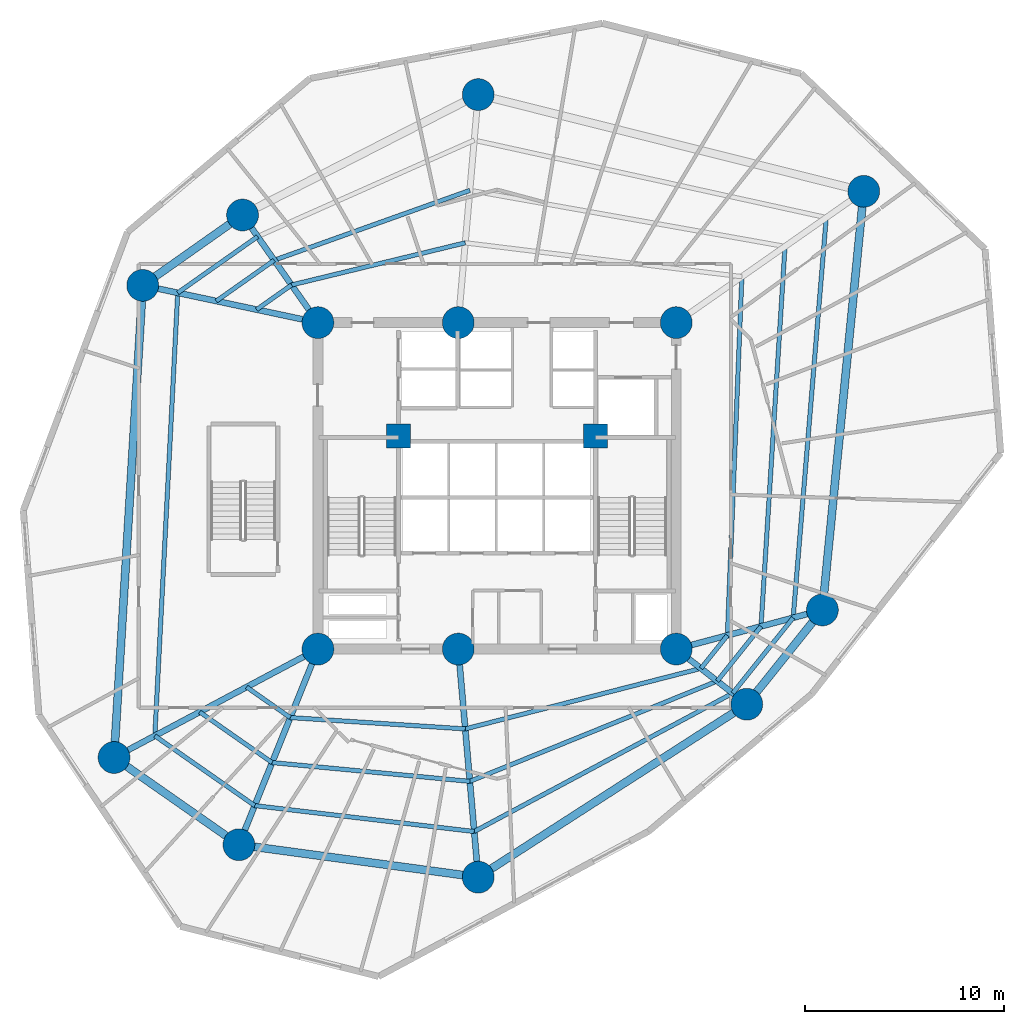
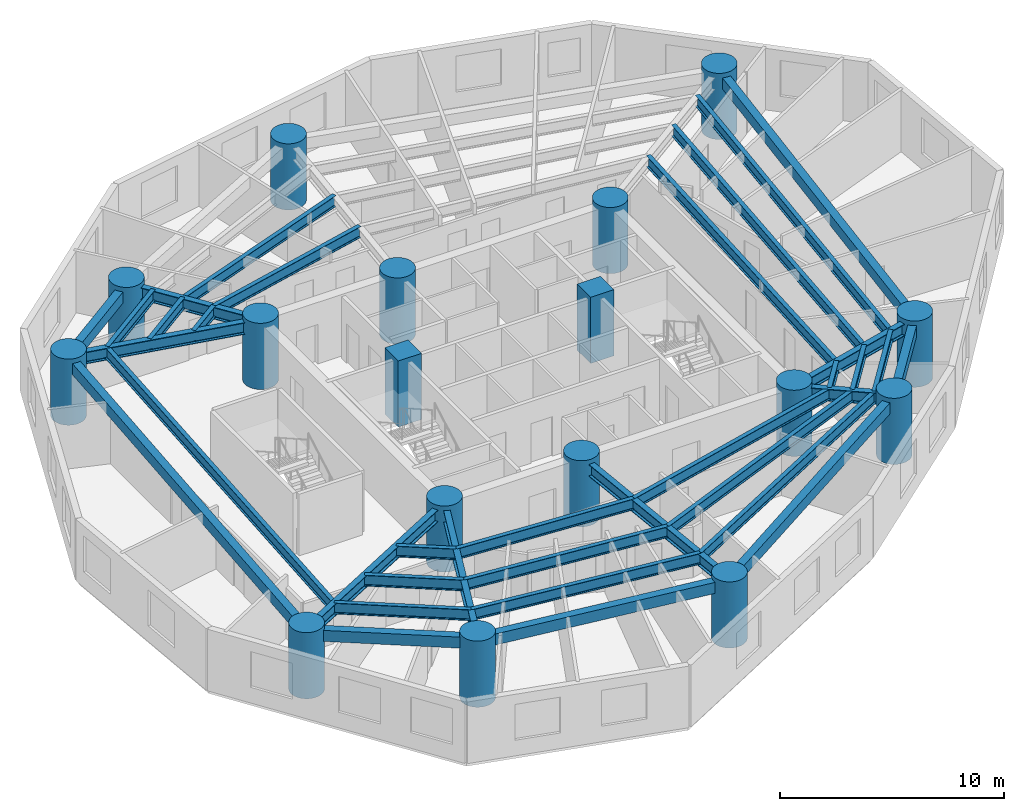
# One storey, part 1 of 8: 35 beams, 17 columns.
"""IFC4 building model written with IfcOpenShell, lengths in metres."""

from ifc_helpers import new_model, si_unit, direction, frame, origin, origin_with_axes, origin_2d, place, context, subcontext, project, spatial, rectangle, circle, i_section, extrude, source, transform, mapped, material, material_profile, profile_set, type_object, element, save


model = new_model("IFC4")

# Units and contexts
model_context = context("Model", 3, precision=1e-05, world=origin(), true_north=direction((0.0, 1.0)))
body_context = subcontext(model_context, "Body", "Model", "MODEL_VIEW")
ifc_project = project(units=[si_unit("LENGTHUNIT", "METRE"), si_unit("AREAUNIT", "SQUARE_METRE"), si_unit("VOLUMEUNIT", "CUBIC_METRE"), si_unit("PLANEANGLEUNIT", "RADIAN"), si_unit("MASSUNIT", "GRAM", prefix="KILO")], contexts=[model_context])

# Site, building, storey
site_placement = place(None, origin())
site = spatial("IfcSite", under=ifc_project, at=site_placement, CompositionType="ELEMENT")
building_placement = place(site_placement, origin())
building = spatial("IfcBuilding", under=site, at=building_placement, Name="Karkom Vertical University and Central Library", CompositionType="ELEMENT")
storey_placement = place(building_placement, frame((0.0, 0.0, 58.89990234375)))
storey = spatial("IfcBuildingStorey", under=building, at=storey_placement, Name="L15", CompositionType="ELEMENT", Elevation=58.89990234375)

# Columns
ifc_material_1 = material(Name="Concrete C50/60", Category="concrete")
ifc_material_profile_1 = material_profile(ifc_material_1, circle(Radius=0.800048828125, at=origin_2d()), Name="CFT-D1600")
ifc_profile_set_1 = profile_set([ifc_material_profile_1], Name="Concrete C50/60")
column_type_1 = type_object("IfcColumnType", Name="STR-COL-C-SC2", PredefinedType="COLUMN", material=ifc_profile_set_1)
shared_shape_1 = source(origin_with_axes(), body_context, "Body", "SweptSolid", [
    extrude(circle(Radius=0.800048828125, at=origin_2d()), origin(), (0.0, 0.0, 1.0), 3.60009765625),
])
for number, where, z_axis, x_axis, name in (
    (1, (19.5, 18.300048828125, 0.0), (0.0, 0.0, 1.0), (1.0, 0.0, 0.0), "Level 15 Spine Mega-Column SC-1"),
    (2, (26.550048828125, 18.300048828125, 0.0), (0.0, 0.0, 1.0), (1.0, 0.0, 0.0), "Level 15 Spine Mega-Column SC-2"),
    (3, (37.5, 18.300048828125, 0.0), (0.0, 0.0, 1.0), (1.0, 0.0, 0.0), "Level 15 Spine Mega-Column SC-3"),
    (4, (19.5, 34.699951171875, 0.0), (0.0, 0.0, 1.0), (1.0, 0.0, 0.0), "Level 15 Spine Mega-Column SC-4"),
    (5, (26.550048828125, 34.699951171875, 0.0), (0.0, 0.0, 1.0), (1.0, 0.0, 0.0), "Level 15 Spine Mega-Column SC-5"),
    (6, (37.5, 34.699951171875, 0.0), (0.0, 0.0, 1.0), (1.0, 0.0, 0.0), "Level 15 Spine Mega-Column SC-6"),
    (7, (44.841064453125, 20.26708984375, 0.0), (0.0, 0.0, 1.0), (1.0, 0.0, 0.0), "Level 15 Perimeter Mega-Column Z1-PC1"),
    (8, (46.919921875, 41.2958984375, 0.0), (0.0, 0.0, 1.0), (1.0, 0.0, 0.0), "Level 15 Perimeter Mega-Column Z1-PC2"),
    (9, (27.552001953125, 46.156005859375, 0.0), (0.0, 0.0, 1.0), (1.0, 0.0, 0.0), "Level 15 Perimeter Mega-Column Z1-PC3"),
    (10, (15.714111328125, 40.10595703125, 0.0), (0.0, 0.0, 1.0), (1.0, 0.0, 0.0), "Level 15 Perimeter Mega-Column Z1-PC4"),
    (11, (10.697021484375, 36.571044921875, 0.0), (0.0, 0.0, 1.0), (1.0, 0.0, 0.0), "Level 15 Perimeter Mega-Column Z1-PC5"),
    (12, (9.258056640625, 12.85400390625, 0.0), (0.0, 0.0, 1.0), (1.0, 0.0, 0.0), "Level 15 Perimeter Mega-Column Z1-PC6"),
    (13, (15.529052734375, 8.471923828125, 0.0), (0.0, 0.0, 1.0), (1.0, 0.0, 0.0), "Level 15 Perimeter Mega-Column Z1-PC7"),
    (14, (27.552001953125, 6.843994140625, 0.0), (0.0, 0.0, 1.0), (1.0, 0.0, 0.0), "Level 15 Perimeter Mega-Column Z1-PC8"),
    (15, (41.0458984375, 15.530029296875, 0.0), (0.0, 0.0, 1.0), (1.0, 0.0, 0.0), "Level 15 Perimeter Mega-Column Z1-PC9"),
):
    element("IfcColumn", number, at=place(storey_placement, frame(where, z_axis=z_axis, x_axis=x_axis)), inside=storey, type_object=column_type_1, Name=name, PredefinedType="COLUMN", context=body_context, shape_type="MappedRepresentation", body=[
        mapped(shared_shape_1, transform((0.0, 0.0, 0.0), scale=1.0)),
    ])
ifc_material_profile_2 = material_profile(ifc_material_1, rectangle(XDim=1.199951171875, YDim=1.199951171875, at=origin_2d()), Name="RC-1200x1200")
ifc_profile_set_2 = profile_set([ifc_material_profile_2], Name="Concrete C50/60")
column_type_2 = type_object("IfcColumnType", Name="STR-COL-C-CC1", PredefinedType="COLUMN", material=ifc_profile_set_2)
shared_shape_2 = source(origin_with_axes(), body_context, "Body", "SweptSolid", [
    extrude(rectangle(XDim=1.199951171875, YDim=1.199951171875, at=origin_2d()), origin(), (0.0, 0.0, 1.0), 3.60009765625),
])
for number, where, z_axis, x_axis, name in (
    (16, (23.550048828125, 29.0, 0.0), (0.0, 0.0, 1.0), (1.0, 0.0, 0.0), "Level 15 Core Node Column CC-1"),
    (17, (33.449951171875, 29.0, 0.0), (0.0, 0.0, 1.0), (1.0, 0.0, 0.0), "Level 15 Core Node Column CC-2"),
):
    element("IfcColumn", number, at=place(storey_placement, frame(where, z_axis=z_axis, x_axis=x_axis)), inside=storey, type_object=column_type_2, Name=name, PredefinedType="COLUMN", context=body_context, shape_type="MappedRepresentation", body=[
        mapped(shared_shape_2, transform((0.0, 0.0, 0.0), scale=1.0)),
    ])

# Beams
ifc_material_2 = material(Name="Steel S355", Category="steel")
ifc_material_profile_3 = material_profile(ifc_material_2, i_section(OverallWidth=0.300048828125, OverallDepth=0.64990234375, WebThickness=0.01611328125, FlangeThickness=0.031005859375, FilletRadius=0.027099609375, at=origin_2d()), Name="HE 650 B")
ifc_profile_set_3 = profile_set([ifc_material_profile_3], Name="Steel S355")
beam_type_1 = type_object("IfcBeamType", Name="STR-BM-SB-HE650", PredefinedType="USERDEFINED", material=ifc_profile_set_3)
shared_shape_3 = source(origin_with_axes(), body_context, "Body", "SweptSolid", [
    extrude(i_section(OverallWidth=0.300048828125, OverallDepth=0.64990234375, WebThickness=0.01611328125, FlangeThickness=0.031005859375, FilletRadius=0.027099609375, at=origin_2d()), origin(), (0.0, 0.0, 1.0), 7.60009765625),
])
beam_1_placement = place(storey_placement, frame((37.5, 18.300048828125, 3.025146484375), z_axis=(0.965925539322, 0.258820116077, 0.0), x_axis=(-0.258820116077, 0.965925539322, 0.0)))
element("IfcBeam", 18, at=beam_1_placement, inside=storey, type_object=beam_type_1, Name="Level 15 Radial Frame Girder 01", ObjectType="GIRDER", PredefinedType="USERDEFINED", context=body_context, shape_type="MappedRepresentation", body=[
    mapped(shared_shape_3, transform((0.0, 0.0, 0.0), scale=1.0)),
])
shared_shape_4 = source(origin_with_axes(), body_context, "Body", "SweptSolid", [
    extrude(i_section(OverallWidth=0.300048828125, OverallDepth=0.64990234375, WebThickness=0.01611328125, FlangeThickness=0.031005859375, FilletRadius=0.027099609375, at=origin_2d()), origin(), (0.0, 0.0, 1.0), 11.499755859375),
])
beam_2_placement = place(storey_placement, frame((26.550048828125, 18.300048828125, 3.025146484375), z_axis=(0.087127973109, -0.99619712723, 0.0), x_axis=(0.99619712723, 0.087127973109, 0.0)))
element("IfcBeam", 19, at=beam_2_placement, inside=storey, type_object=beam_type_1, Name="Level 15 Radial Frame Girder 08", ObjectType="GIRDER", PredefinedType="USERDEFINED", context=body_context, shape_type="MappedRepresentation", body=[
    mapped(shared_shape_4, transform((0.0, 0.0, 0.0), scale=1.0)),
])
shared_shape_5 = source(origin_with_axes(), body_context, "Body", "SweptSolid", [
    extrude(i_section(OverallWidth=0.300048828125, OverallDepth=0.64990234375, WebThickness=0.01611328125, FlangeThickness=0.031005859375, FilletRadius=0.027099609375, at=origin_2d()), origin(), (0.0, 0.0, 1.0), 6.599853515625),
])
beam_3_placement = place(storey_placement, frame((19.5, 34.699951171875, 3.025146484375), z_axis=(-0.573633636671, 0.819111989218, 0.0), x_axis=(-0.819111989218, -0.573633636671, 0.0)))
element("IfcBeam", 20, at=beam_3_placement, inside=storey, type_object=beam_type_1, Name="Level 15 Radial Frame Girder 04", ObjectType="GIRDER", PredefinedType="USERDEFINED", context=body_context, shape_type="MappedRepresentation", body=[
    mapped(shared_shape_5, transform((0.0, 0.0, 0.0), scale=1.0)),
])
shared_shape_6 = source(origin_with_axes(), body_context, "Body", "SweptSolid", [
    extrude(i_section(OverallWidth=0.300048828125, OverallDepth=0.64990234375, WebThickness=0.01611328125, FlangeThickness=0.031005859375, FilletRadius=0.027099609375, at=origin_2d()), origin(), (0.0, 0.0, 1.0), 8.999755859375),
])
beam_4_placement = place(storey_placement, frame((19.5, 34.699951171875, 3.025146484375), z_axis=(-0.978148438993, 0.207907747079, 0.0), x_axis=(-0.207907747079, -0.978148438993, 0.0)))
element("IfcBeam", 21, at=beam_4_placement, inside=storey, type_object=beam_type_1, Name="Level 15 Radial Frame Girder 05", ObjectType="GIRDER", PredefinedType="USERDEFINED", context=body_context, shape_type="MappedRepresentation", body=[
    mapped(shared_shape_6, transform((0.0, 0.0, 0.0), scale=1.0)),
])
shared_shape_7 = source(origin_with_axes(), body_context, "Body", "SweptSolid", [
    extrude(i_section(OverallWidth=0.300048828125, OverallDepth=0.64990234375, WebThickness=0.01611328125, FlangeThickness=0.031005859375, FilletRadius=0.027099609375, at=origin_2d()), origin(), (0.0, 0.0, 1.0), 11.599853515625),
])
beam_5_placement = place(storey_placement, frame((19.5, 18.300048828125, 3.025146484375), z_axis=(-0.882936620635, -0.469492197957, 0.0), x_axis=(0.469492197957, -0.882936620635, 0.0)))
element("IfcBeam", 22, at=beam_5_placement, inside=storey, type_object=beam_type_1, Name="Level 15 Radial Frame Girder 06", ObjectType="GIRDER", PredefinedType="USERDEFINED", context=body_context, shape_type="MappedRepresentation", body=[
    mapped(shared_shape_7, transform((0.0, 0.0, 0.0), scale=1.0)),
])
shared_shape_8 = source(origin_with_axes(), body_context, "Body", "SweptSolid", [
    extrude(i_section(OverallWidth=0.300048828125, OverallDepth=0.64990234375, WebThickness=0.01611328125, FlangeThickness=0.031005859375, FilletRadius=0.027099609375, at=origin_2d()), origin(), (0.0, 0.0, 1.0), 10.60009765625),
])
beam_6_placement = place(storey_placement, frame((19.5, 18.300048828125, 3.025146484375), z_axis=(-0.374616894394, -0.927179692635, 0.0), x_axis=(0.927179692635, -0.374616894394, 0.0)))
element("IfcBeam", 23, at=beam_6_placement, inside=storey, type_object=beam_type_1, Name="Level 15 Radial Frame Girder 07", ObjectType="GIRDER", PredefinedType="USERDEFINED", context=body_context, shape_type="MappedRepresentation", body=[
    mapped(shared_shape_8, transform((0.0, 0.0, 0.0), scale=1.0)),
])
shared_shape_9 = source(origin_with_axes(), body_context, "Body", "SweptSolid", [
    extrude(i_section(OverallWidth=0.300048828125, OverallDepth=0.64990234375, WebThickness=0.01611328125, FlangeThickness=0.031005859375, FilletRadius=0.027099609375, at=origin_2d()), origin(), (0.0, 0.0, 1.0), 4.49951171875),
])
beam_7_placement = place(storey_placement, frame((37.5, 18.300048828125, 3.025146484375), z_axis=(0.788047405801, -0.615614559778, 0.0), x_axis=(0.615614559778, 0.788047405801, 0.0)))
element("IfcBeam", 24, at=beam_7_placement, inside=storey, type_object=beam_type_1, Name="Level 15 Radial Frame Girder 09", ObjectType="GIRDER", PredefinedType="USERDEFINED", context=body_context, shape_type="MappedRepresentation", body=[
    mapped(shared_shape_9, transform((0.0, 0.0, 0.0), scale=1.0)),
])
ifc_material_3 = material(Name="Precast concrete C45/55", Category="concrete")
ifc_material_profile_4 = material_profile(ifc_material_3, rectangle(XDim=0.39990234375, YDim=0.60009765625, at=origin_2d()), Name="SPB-400x600")
ifc_profile_set_4 = profile_set([ifc_material_profile_4], Name="Precast concrete C45/55")
beam_type_2 = type_object("IfcBeamType", Name="STR-BM-SP-1", PredefinedType="SPANDREL", material=ifc_profile_set_4)
shared_shape_10 = source(origin_with_axes(), body_context, "Body", "SweptSolid", [
    extrude(rectangle(XDim=0.39990234375, YDim=0.60009765625, at=origin_2d()), origin(), (0.0, 0.0, 1.0), 21.13134765625),
])
beam_8_placement = place(storey_placement, frame((44.841064453125, 20.26708984375, 3.050048828125), z_axis=(0.0983780471, 0.995149114379, 0.0), x_axis=(-0.995149114379, 0.0983780471, 0.0)))
element("IfcBeam", 25, at=beam_8_placement, inside=storey, type_object=beam_type_2, Name="Level 15 Perimeter Spandrel Beam 01", PredefinedType="SPANDREL", context=body_context, shape_type="MappedRepresentation", body=[
    mapped(shared_shape_10, transform((0.0, 0.0, 0.0), scale=1.0)),
])
shared_shape_11 = source(origin_with_axes(), body_context, "Body", "SweptSolid", [
    extrude(rectangle(XDim=0.39990234375, YDim=0.60009765625, at=origin_2d()), origin(), (0.0, 0.0, 1.0), 6.13720703125),
])
beam_9_placement = place(storey_placement, frame((15.714111328125, 40.10595703125, 3.050048828125), z_axis=(-0.817471365538, -0.575969240955, 0.0), x_axis=(0.575969240955, -0.817471365538, 0.0)))
element("IfcBeam", 26, at=beam_9_placement, inside=storey, type_object=beam_type_2, Name="Level 15 Perimeter Spandrel Beam 04", PredefinedType="SPANDREL", context=body_context, shape_type="MappedRepresentation", body=[
    mapped(shared_shape_11, transform((0.0, 0.0, 0.0), scale=1.0)),
])
shared_shape_12 = source(origin_with_axes(), body_context, "Body", "SweptSolid", [
    extrude(rectangle(XDim=0.39990234375, YDim=0.60009765625, at=origin_2d()), origin(), (0.0, 0.0, 1.0), 23.7607421875),
])
beam_10_placement = place(storey_placement, frame((10.697021484375, 36.571044921875, 3.050048828125), z_axis=(-0.060560827767, -0.998164508556, 0.0), x_axis=(0.998164508556, -0.060560827767, 0.0)))
element("IfcBeam", 27, at=beam_10_placement, inside=storey, type_object=beam_type_2, Name="Level 15 Perimeter Spandrel Beam 05", PredefinedType="SPANDREL", context=body_context, shape_type="MappedRepresentation", body=[
    mapped(shared_shape_12, transform((0.0, 0.0, 0.0), scale=1.0)),
])
shared_shape_13 = source(origin_with_axes(), body_context, "Body", "SweptSolid", [
    extrude(rectangle(XDim=0.39990234375, YDim=0.60009765625, at=origin_2d()), origin(), (0.0, 0.0, 1.0), 7.650390625),
])
beam_11_placement = place(storey_placement, frame((9.258056640625, 12.85400390625, 3.050048828125), z_axis=(0.819699409527, -0.572793922822, 0.0), x_axis=(0.572793922822, 0.819699409527, 0.0)))
element("IfcBeam", 28, at=beam_11_placement, inside=storey, type_object=beam_type_2, Name="Level 15 Perimeter Spandrel Beam 06", PredefinedType="SPANDREL", context=body_context, shape_type="MappedRepresentation", body=[
    mapped(shared_shape_13, transform((0.0, 0.0, 0.0), scale=1.0)),
])
shared_shape_14 = source(origin_with_axes(), body_context, "Body", "SweptSolid", [
    extrude(rectangle(XDim=0.39990234375, YDim=0.60009765625, at=origin_2d()), origin(), (0.0, 0.0, 1.0), 12.132568359375),
])
beam_12_placement = place(storey_placement, frame((15.529052734375, 8.471923828125, 3.050048828125), z_axis=(0.990957319008, -0.134177464223, 0.0), x_axis=(0.134177464223, 0.990957319008, 0.0)))
element("IfcBeam", 29, at=beam_12_placement, inside=storey, type_object=beam_type_2, Name="Level 15 Perimeter Spandrel Beam 07", PredefinedType="SPANDREL", context=body_context, shape_type="MappedRepresentation", body=[
    mapped(shared_shape_14, transform((0.0, 0.0, 0.0), scale=1.0)),
])
shared_shape_15 = source(origin_with_axes(), body_context, "Body", "SweptSolid", [
    extrude(rectangle(XDim=0.39990234375, YDim=0.60009765625, at=origin_2d()), origin(), (0.0, 0.0, 1.0), 16.0478515625),
])
beam_13_placement = place(storey_placement, frame((27.552001953125, 6.843994140625, 3.050048828125), z_axis=(0.84085555045, 0.541259589548, 0.0), x_axis=(-0.541259589548, 0.84085555045, 0.0)))
element("IfcBeam", 30, at=beam_13_placement, inside=storey, type_object=beam_type_2, Name="Level 15 Perimeter Spandrel Beam 08", PredefinedType="SPANDREL", context=body_context, shape_type="MappedRepresentation", body=[
    mapped(shared_shape_15, transform((0.0, 0.0, 0.0), scale=1.0)),
])
shared_shape_16 = source(origin_with_axes(), body_context, "Body", "SweptSolid", [
    extrude(rectangle(XDim=0.39990234375, YDim=0.60009765625, at=origin_2d()), origin(), (0.0, 0.0, 1.0), 6.06982421875),
])
beam_14_placement = place(storey_placement, frame((41.0458984375, 15.530029296875, 3.050048828125), z_axis=(0.625249167344, 0.780425190992, 0.0), x_axis=(-0.780425190992, 0.625249167344, 0.0)))
element("IfcBeam", 31, at=beam_14_placement, inside=storey, type_object=beam_type_2, Name="Level 15 Perimeter Spandrel Beam 09", PredefinedType="SPANDREL", context=body_context, shape_type="MappedRepresentation", body=[
    mapped(shared_shape_16, transform((0.0, 0.0, 0.0), scale=1.0)),
])
ifc_material_profile_5 = material_profile(ifc_material_2, i_section(OverallWidth=0.219970703125, OverallDepth=0.60009765625, WebThickness=0.011962890625, FlangeThickness=0.01904296875, FilletRadius=0.02392578125, at=origin_2d()), Name="IPE 600")
ifc_profile_set_5 = profile_set([ifc_material_profile_5], Name="Steel S355")
beam_type_3 = type_object("IfcBeamType", Name="STR-BM-SB-IPE600", PredefinedType="BEAM", material=ifc_profile_set_5)
shared_shape_17 = source(origin_with_axes(), body_context, "Body", "SweptSolid", [
    extrude(i_section(OverallWidth=0.219970703125, OverallDepth=0.60009765625, WebThickness=0.011962890625, FlangeThickness=0.01904296875, FilletRadius=0.02392578125, at=origin_2d()), origin(), (0.0, 0.0, 1.0), 18.03466796875),
])
beam_15_placement = place(storey_placement, frame((40.0693359375, 18.988525390625, 3.050048828125), z_axis=(0.04035458262, 0.999185422062, 0.0), x_axis=(-0.999185422062, 0.04035458262, 0.0)))
element("IfcBeam", 32, at=beam_15_placement, inside=storey, type_object=beam_type_3, Name="Level 15 Secondary Composite Floor Beam 1.01", PredefinedType="BEAM", context=body_context, shape_type="MappedRepresentation", body=[
    mapped(shared_shape_17, transform((0.0, 0.0, 0.0), scale=1.0)),
])
shared_shape_18 = source(origin_with_axes(), body_context, "Body", "SweptSolid", [
    extrude(i_section(OverallWidth=0.219970703125, OverallDepth=0.60009765625, WebThickness=0.011962890625, FlangeThickness=0.01904296875, FilletRadius=0.02392578125, at=origin_2d()), origin(), (0.0, 0.0, 1.0), 8.97900390625),
])
beam_16_placement = place(storey_placement, frame((26.900634765625, 38.709716796875, 3.050048828125), z_axis=(-0.971790837509, -0.235844372697, 0.0), x_axis=(0.235844372697, -0.971790837509, 0.0)))
element("IfcBeam", 33, at=beam_16_placement, inside=storey, type_object=beam_type_3, Name="Level 15 Secondary Composite Floor Beam 1.03", PredefinedType="BEAM", context=body_context, shape_type="MappedRepresentation", body=[
    mapped(shared_shape_18, transform((0.0, 0.0, 0.0), scale=1.0)),
])
shared_shape_19 = source(origin_with_axes(), body_context, "Body", "SweptSolid", [
    extrude(i_section(OverallWidth=0.219970703125, OverallDepth=0.60009765625, WebThickness=0.011962890625, FlangeThickness=0.01904296875, FilletRadius=0.02392578125, at=origin_2d()), origin(), (0.0, 0.0, 1.0), 2.14794921875),
])
beam_17_placement = place(storey_placement, frame((18.1748046875, 36.592041015625, 3.050048828125), z_axis=(-0.817433780971, -0.576022580918, 0.0), x_axis=(0.576022580918, -0.817433780971, 0.0)))
element("IfcBeam", 34, at=beam_17_placement, inside=storey, type_object=beam_type_3, Name="Level 15 Secondary Composite Floor Beam 1.04", PredefinedType="BEAM", context=body_context, shape_type="MappedRepresentation", body=[
    mapped(shared_shape_19, transform((0.0, 0.0, 0.0), scale=1.0)),
])
shared_shape_20 = source(origin_with_axes(), body_context, "Body", "SweptSolid", [
    extrude(i_section(OverallWidth=0.219970703125, OverallDepth=0.60009765625, WebThickness=0.011962890625, FlangeThickness=0.01904296875, FilletRadius=0.02392578125, at=origin_2d()), origin(), (0.0, 0.0, 1.0), 2.677490234375),
])
beam_18_placement = place(storey_placement, frame((15.915283203125, 16.393798828125, 3.050048828125), z_axis=(0.819702839548, -0.572789014243, 0.0), x_axis=(0.572789014243, 0.819702839548, 0.0)))
element("IfcBeam", 35, at=beam_18_placement, inside=storey, type_object=beam_type_3, Name="Level 15 Secondary Composite Floor Beam 1.06", PredefinedType="BEAM", context=body_context, shape_type="MappedRepresentation", body=[
    mapped(shared_shape_20, transform((0.0, 0.0, 0.0), scale=1.0)),
])
shared_shape_21 = source(origin_with_axes(), body_context, "Body", "SweptSolid", [
    extrude(i_section(OverallWidth=0.219970703125, OverallDepth=0.60009765625, WebThickness=0.011962890625, FlangeThickness=0.01904296875, FilletRadius=0.02392578125, at=origin_2d()), origin(), (0.0, 0.0, 1.0), 8.80908203125),
])
beam_19_placement = place(storey_placement, frame((18.110107421875, 14.860107421875, 3.050048828125), z_axis=(0.997905617906, -0.064686766433, 0.0), x_axis=(0.064686766433, 0.997905617906, 0.0)))
element("IfcBeam", 36, at=beam_19_placement, inside=storey, type_object=beam_type_3, Name="Level 15 Secondary Composite Floor Beam 1.07", PredefinedType="BEAM", context=body_context, shape_type="MappedRepresentation", body=[
    mapped(shared_shape_21, transform((0.0, 0.0, 0.0), scale=1.0)),
])
shared_shape_22 = source(origin_with_axes(), body_context, "Body", "SweptSolid", [
    extrude(i_section(OverallWidth=0.219970703125, OverallDepth=0.60009765625, WebThickness=0.011962890625, FlangeThickness=0.01904296875, FilletRadius=0.02392578125, at=origin_2d()), origin(), (0.0, 0.0, 1.0), 12.224609375),
])
beam_20_placement = place(storey_placement, frame((26.900634765625, 14.290283203125, 3.050048828125), z_axis=(0.968580403264, 0.248700628092, 0.0), x_axis=(-0.248700628092, 0.968580403264, 0.0)))
element("IfcBeam", 37, at=beam_20_placement, inside=storey, type_object=beam_type_3, Name="Level 15 Secondary Composite Floor Beam 1.08", PredefinedType="BEAM", context=body_context, shape_type="MappedRepresentation", body=[
    mapped(shared_shape_22, transform((0.0, 0.0, 0.0), scale=1.0)),
])
shared_shape_23 = source(origin_with_axes(), body_context, "Body", "SweptSolid", [
    extrude(i_section(OverallWidth=0.219970703125, OverallDepth=0.60009765625, WebThickness=0.011962890625, FlangeThickness=0.01904296875, FilletRadius=0.02392578125, at=origin_2d()), origin(), (0.0, 0.0, 1.0), 2.124267578125),
])
beam_21_placement = place(storey_placement, frame((38.7412109375, 17.33056640625, 3.050048828125), z_axis=(0.625199471959, 0.780465002587, 0.0), x_axis=(-0.780465002587, 0.625199471959, 0.0)))
element("IfcBeam", 38, at=beam_21_placement, inside=storey, type_object=beam_type_3, Name="Level 15 Secondary Composite Floor Beam 1.09", PredefinedType="BEAM", context=body_context, shape_type="MappedRepresentation", body=[
    mapped(shared_shape_23, transform((0.0, 0.0, 0.0), scale=1.0)),
])
shared_shape_24 = source(origin_with_axes(), body_context, "Body", "SweptSolid", [
    extrude(i_section(OverallWidth=0.219970703125, OverallDepth=0.60009765625, WebThickness=0.011962890625, FlangeThickness=0.01904296875, FilletRadius=0.02392578125, at=origin_2d()), origin(), (0.0, 0.0, 1.0), 19.122802734375),
])
beam_22_placement = place(storey_placement, frame((41.7578125, 19.44091796875, 3.050048828125), z_axis=(0.063056264597, 0.998009973645, 0.0), x_axis=(-0.998009973645, 0.063056264597, 0.0)))
element("IfcBeam", 39, at=beam_22_placement, inside=storey, type_object=beam_type_3, Name="Level 15 Secondary Composite Floor Beam 2.01", PredefinedType="BEAM", context=body_context, shape_type="MappedRepresentation", body=[
    mapped(shared_shape_24, transform((0.0, 0.0, 0.0), scale=1.0)),
])
shared_shape_25 = source(origin_with_axes(), body_context, "Body", "SweptSolid", [
    extrude(i_section(OverallWidth=0.219970703125, OverallDepth=0.60009765625, WebThickness=0.011962890625, FlangeThickness=0.01904296875, FilletRadius=0.02392578125, at=origin_2d()), origin(), (0.0, 0.0, 1.0), 10.4345703125),
])
beam_23_placement = place(storey_placement, frame((27.131103515625, 41.344482421875, 3.050048828125), z_axis=(-0.941759378798, -0.336287484819, 0.0), x_axis=(0.336287484819, -0.941759378798, 0.0)))
element("IfcBeam", 40, at=beam_23_placement, inside=storey, type_object=beam_type_3, Name="Level 15 Secondary Composite Floor Beam 2.03", PredefinedType="BEAM", context=body_context, shape_type="MappedRepresentation", body=[
    mapped(shared_shape_25, transform((0.0, 0.0, 0.0), scale=1.0)),
])
shared_shape_26 = source(origin_with_axes(), body_context, "Body", "SweptSolid", [
    extrude(i_section(OverallWidth=0.219970703125, OverallDepth=0.60009765625, WebThickness=0.011962890625, FlangeThickness=0.01904296875, FilletRadius=0.02392578125, at=origin_2d()), origin(), (0.0, 0.0, 1.0), 3.5595703125),
])
beam_24_placement = place(storey_placement, frame((17.30419921875, 37.83544921875, 3.050048828125), z_axis=(-0.817465552849, -0.575977490798, 0.0), x_axis=(0.575977490798, -0.817465552849, 0.0)))
element("IfcBeam", 41, at=beam_24_placement, inside=storey, type_object=beam_type_3, Name="Level 15 Secondary Composite Floor Beam 2.04", PredefinedType="BEAM", context=body_context, shape_type="MappedRepresentation", body=[
    mapped(shared_shape_26, transform((0.0, 0.0, 0.0), scale=1.0)),
])
shared_shape_27 = source(origin_with_axes(), body_context, "Body", "SweptSolid", [
    extrude(i_section(OverallWidth=0.219970703125, OverallDepth=0.60009765625, WebThickness=0.011962890625, FlangeThickness=0.01904296875, FilletRadius=0.02392578125, at=origin_2d()), origin(), (0.0, 0.0, 1.0), 4.437255859375),
])
beam_25_placement = place(storey_placement, frame((13.5595703125, 15.141357421875, 3.050048828125), z_axis=(0.819712425733, -0.572775295468, 0.0), x_axis=(0.572775295468, 0.819712425733, 0.0)))
element("IfcBeam", 42, at=beam_25_placement, inside=storey, type_object=beam_type_3, Name="Level 15 Secondary Composite Floor Beam 2.06", PredefinedType="BEAM", context=body_context, shape_type="MappedRepresentation", body=[
    mapped(shared_shape_27, transform((0.0, 0.0, 0.0), scale=1.0)),
])
shared_shape_28 = source(origin_with_axes(), body_context, "Body", "SweptSolid", [
    extrude(i_section(OverallWidth=0.219970703125, OverallDepth=0.60009765625, WebThickness=0.011962890625, FlangeThickness=0.01904296875, FilletRadius=0.02392578125, at=origin_2d()), origin(), (0.0, 0.0, 1.0), 9.97900390625),
])
beam_26_placement = place(storey_placement, frame((17.19677734375, 12.599853515625, 3.050048828125), z_axis=(0.995512389915, -0.094631292526, 0.0), x_axis=(0.094631292526, 0.995512389915, 0.0)))
element("IfcBeam", 43, at=beam_26_placement, inside=storey, type_object=beam_type_3, Name="Level 15 Secondary Composite Floor Beam 2.07", PredefinedType="BEAM", context=body_context, shape_type="MappedRepresentation", body=[
    mapped(shared_shape_28, transform((0.0, 0.0, 0.0), scale=1.0)),
])
shared_shape_29 = source(origin_with_axes(), body_context, "Body", "SweptSolid", [
    extrude(i_section(OverallWidth=0.219970703125, OverallDepth=0.60009765625, WebThickness=0.011962890625, FlangeThickness=0.01904296875, FilletRadius=0.02392578125, at=origin_2d()), origin(), (0.0, 0.0, 1.0), 13.407958984375),
])
beam_27_placement = place(storey_placement, frame((27.131103515625, 11.655517578125, 3.050048828125), z_axis=(0.926727273371, 0.375734694685, 0.0), x_axis=(-0.375734694685, 0.926727273371, 0.0)))
element("IfcBeam", 44, at=beam_27_placement, inside=storey, type_object=beam_type_3, Name="Level 15 Secondary Composite Floor Beam 2.08", PredefinedType="BEAM", context=body_context, shape_type="MappedRepresentation", body=[
    mapped(shared_shape_29, transform((0.0, 0.0, 0.0), scale=1.0)),
])
shared_shape_30 = source(origin_with_axes(), body_context, "Body", "SweptSolid", [
    extrude(i_section(OverallWidth=0.219970703125, OverallDepth=0.60009765625, WebThickness=0.011962890625, FlangeThickness=0.01904296875, FilletRadius=0.02392578125, at=origin_2d()), origin(), (0.0, 0.0, 1.0), 3.5205078125),
])
beam_28_placement = place(storey_placement, frame((39.556640625, 16.693359375, 3.050048828125), z_axis=(0.62523614548, 0.780435623473, 0.0), x_axis=(-0.780435623473, 0.62523614548, 0.0)))
element("IfcBeam", 45, at=beam_28_placement, inside=storey, type_object=beam_type_3, Name="Level 15 Secondary Composite Floor Beam 2.09", PredefinedType="BEAM", context=body_context, shape_type="MappedRepresentation", body=[
    mapped(shared_shape_30, transform((0.0, 0.0, 0.0), scale=1.0)),
])
shared_shape_31 = source(origin_with_axes(), body_context, "Body", "SweptSolid", [
    extrude(i_section(OverallWidth=0.219970703125, OverallDepth=0.60009765625, WebThickness=0.011962890625, FlangeThickness=0.01904296875, FilletRadius=0.02392578125, at=origin_2d()), origin(), (0.0, 0.0, 1.0), 20.171875),
])
beam_29_placement = place(storey_placement, frame((43.372802734375, 19.87353515625, 3.050048828125), z_axis=(0.082445490935, 0.996595575459, 0.0), x_axis=(-0.996595575459, 0.082445490935, 0.0)))
element("IfcBeam", 46, at=beam_29_placement, inside=storey, type_object=beam_type_3, Name="Level 15 Secondary Composite Floor Beam 3.01", PredefinedType="BEAM", context=body_context, shape_type="MappedRepresentation", body=[
    mapped(shared_shape_31, transform((0.0, 0.0, 0.0), scale=1.0)),
])
shared_shape_32 = source(origin_with_axes(), body_context, "Body", "SweptSolid", [
    extrude(i_section(OverallWidth=0.219970703125, OverallDepth=0.60009765625, WebThickness=0.011962890625, FlangeThickness=0.01904296875, FilletRadius=0.02392578125, at=origin_2d()), origin(), (0.0, 0.0, 1.0), 4.909912109375),
])
beam_30_placement = place(storey_placement, frame((16.47119140625, 39.02490234375, 3.050048828125), z_axis=(-0.817452635759, -0.575995823153, 0.0), x_axis=(0.575995823153, -0.817452635759, 0.0)))
element("IfcBeam", 47, at=beam_30_placement, inside=storey, type_object=beam_type_3, Name="Level 15 Secondary Composite Floor Beam 3.04", PredefinedType="BEAM", context=body_context, shape_type="MappedRepresentation", body=[
    mapped(shared_shape_32, transform((0.0, 0.0, 0.0), scale=1.0)),
])
shared_shape_33 = source(origin_with_axes(), body_context, "Body", "SweptSolid", [
    extrude(i_section(OverallWidth=0.219970703125, OverallDepth=0.60009765625, WebThickness=0.011962890625, FlangeThickness=0.01904296875, FilletRadius=0.02392578125, at=origin_2d()), origin(), (0.0, 0.0, 1.0), 22.283447265625),
])
beam_31_placement = place(storey_placement, frame((12.45751953125, 36.19677734375, 3.050048828125), z_axis=(-0.051658288147, -0.998664819279, 0.0), x_axis=(0.998664819279, -0.051658288147, 0.0)))
element("IfcBeam", 48, at=beam_31_placement, inside=storey, type_object=beam_type_3, Name="Level 15 Secondary Composite Floor Beam 3.05", PredefinedType="BEAM", context=body_context, shape_type="MappedRepresentation", body=[
    mapped(shared_shape_33, transform((0.0, 0.0, 0.0), scale=1.0)),
])
shared_shape_34 = source(origin_with_axes(), body_context, "Body", "SweptSolid", [
    extrude(i_section(OverallWidth=0.219970703125, OverallDepth=0.60009765625, WebThickness=0.011962890625, FlangeThickness=0.01904296875, FilletRadius=0.02392578125, at=origin_2d()), origin(), (0.0, 0.0, 1.0), 6.120361328125),
])
beam_32_placement = place(storey_placement, frame((11.306396484375, 13.943115234375, 3.050048828125), z_axis=(0.81970577287, -0.572784816422, 0.0), x_axis=(0.572784816422, 0.81970577287, 0.0)))
element("IfcBeam", 49, at=beam_32_placement, inside=storey, type_object=beam_type_3, Name="Level 15 Secondary Composite Floor Beam 3.06", PredefinedType="BEAM", context=body_context, shape_type="MappedRepresentation", body=[
    mapped(shared_shape_34, transform((0.0, 0.0, 0.0), scale=1.0)),
])
shared_shape_35 = source(origin_with_axes(), body_context, "Body", "SweptSolid", [
    extrude(i_section(OverallWidth=0.219970703125, OverallDepth=0.60009765625, WebThickness=0.011962890625, FlangeThickness=0.01904296875, FilletRadius=0.02392578125, at=origin_2d()), origin(), (0.0, 0.0, 1.0), 11.10498046875),
])
beam_33_placement = place(storey_placement, frame((16.3232421875, 10.4375, 3.050048828125), z_axis=(0.993100390447, -0.117267278018, 0.0), x_axis=(0.117267278018, 0.993100390447, 0.0)))
element("IfcBeam", 50, at=beam_33_placement, inside=storey, type_object=beam_type_3, Name="Level 15 Secondary Composite Floor Beam 3.07", PredefinedType="BEAM", context=body_context, shape_type="MappedRepresentation", body=[
    mapped(shared_shape_35, transform((0.0, 0.0, 0.0), scale=1.0)),
])
shared_shape_36 = source(origin_with_axes(), body_context, "Body", "SweptSolid", [
    extrude(i_section(OverallWidth=0.219970703125, OverallDepth=0.60009765625, WebThickness=0.011962890625, FlangeThickness=0.01904296875, FilletRadius=0.02392578125, at=origin_2d()), origin(), (0.0, 0.0, 1.0), 14.727783203125),
])
beam_34_placement = place(storey_placement, frame((27.3515625, 9.13525390625, 3.050048828125), z_axis=(0.881697726656, 0.471814708131, 0.0), x_axis=(-0.471814708131, 0.881697726656, 0.0)))
element("IfcBeam", 51, at=beam_34_placement, inside=storey, type_object=beam_type_3, Name="Level 15 Secondary Composite Floor Beam 3.08", PredefinedType="BEAM", context=body_context, shape_type="MappedRepresentation", body=[
    mapped(shared_shape_36, transform((0.0, 0.0, 0.0), scale=1.0)),
])
shared_shape_37 = source(origin_with_axes(), body_context, "Body", "SweptSolid", [
    extrude(i_section(OverallWidth=0.219970703125, OverallDepth=0.60009765625, WebThickness=0.011962890625, FlangeThickness=0.01904296875, FilletRadius=0.02392578125, at=origin_2d()), origin(), (0.0, 0.0, 1.0), 4.855712890625),
])
beam_35_placement = place(storey_placement, frame((40.3369140625, 16.083984375, 3.050048828125), z_axis=(0.62522835738, 0.780441862747, 0.0), x_axis=(-0.780441862747, 0.62522835738, 0.0)))
element("IfcBeam", 52, at=beam_35_placement, inside=storey, type_object=beam_type_3, Name="Level 15 Secondary Composite Floor Beam 3.09", PredefinedType="BEAM", context=body_context, shape_type="MappedRepresentation", body=[
    mapped(shared_shape_37, transform((0.0, 0.0, 0.0), scale=1.0)),
])

save(model, "model.ifc")
